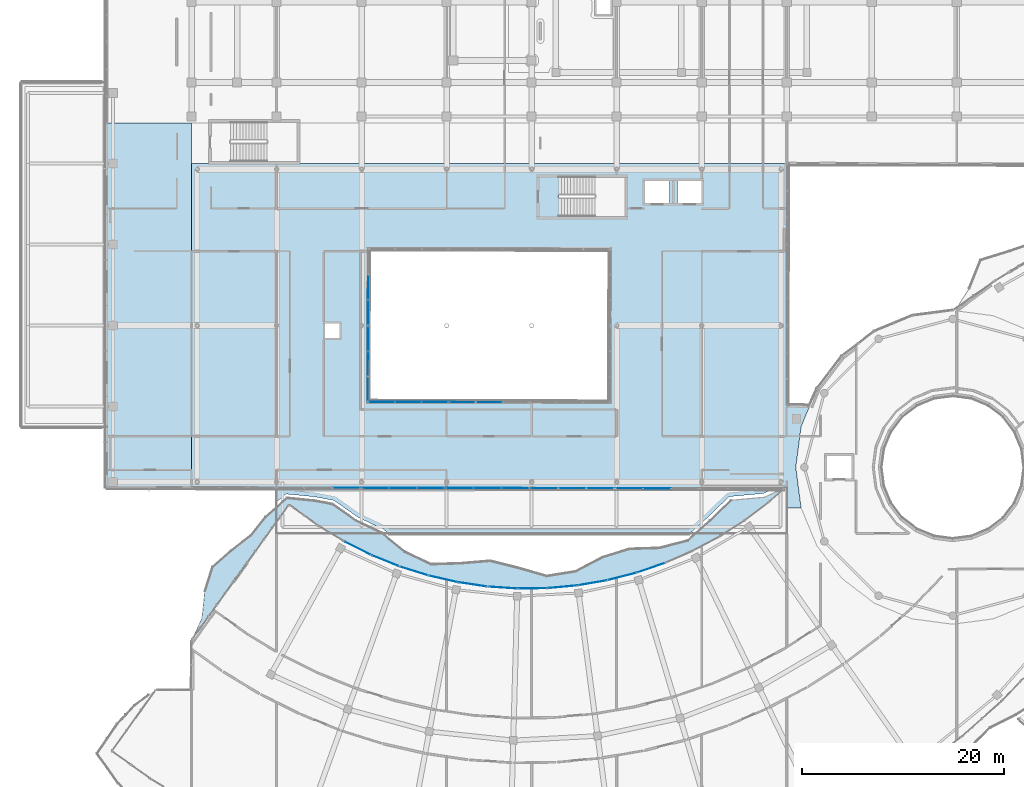
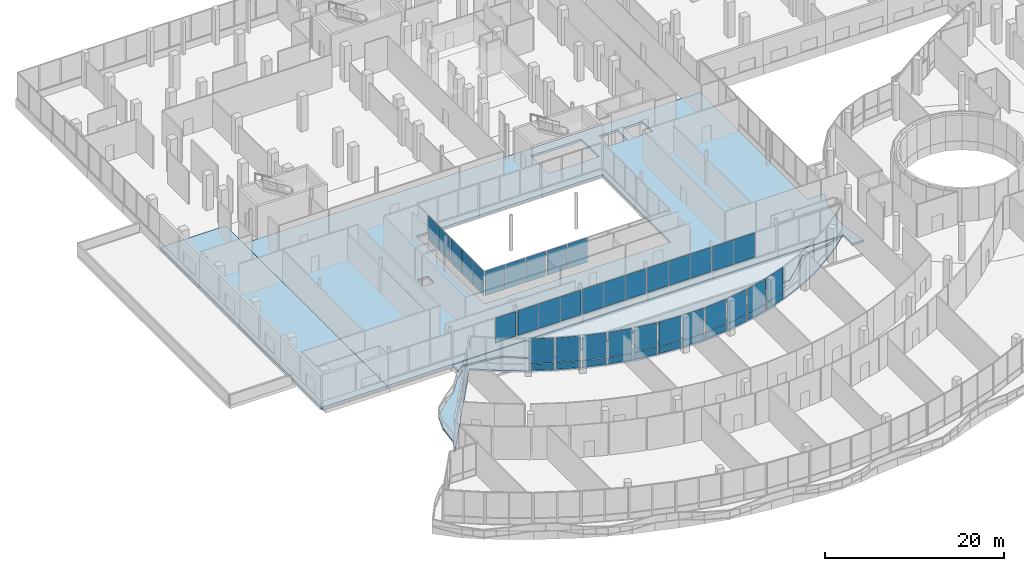
# One storey, part 125 of 168: 44 plates, 4 slabs, 20 elements without a shape of their own.
"""IFC4 building model written with IfcOpenShell, lengths in metres."""

from ifc_helpers import new_model, si_unit, direction, frame, origin, origin_2d, place, context, subcontext, project, spatial, polyline, rectangle, outline, extrude, material, layer, layer_set, type_object, element, aggregate, save


model = new_model("IFC4")

# Units and contexts
model_context = context("Model", 3, precision=1e-05, world=origin(), true_north=direction((0.0, 1.0)))
body_context = subcontext(model_context, "Body", "Model", "MODEL_VIEW")
ifc_project = project(units=[si_unit("LENGTHUNIT", "METRE"), si_unit("AREAUNIT", "SQUARE_METRE"), si_unit("VOLUMEUNIT", "CUBIC_METRE"), si_unit("PLANEANGLEUNIT", "RADIAN"), si_unit("MASSUNIT", "GRAM", prefix="KILO")], contexts=[model_context])

# Site, building, storey
site_placement = place(None, origin())
site = spatial("IfcSite", under=ifc_project, at=site_placement, CompositionType="ELEMENT")
building_placement = place(site_placement, origin())
building = spatial("IfcBuilding", under=site, at=building_placement, Name="Selatvlak General Hospital", CompositionType="ELEMENT")
storey_placement = place(building_placement, frame((0.0, 0.0, 5.39990234375)))
storey = spatial("IfcBuildingStorey", under=building, at=storey_placement, Name="L01", CompositionType="ELEMENT", Elevation=5.39990234375)

# Curtain wall, plates
ifc_material_1 = material(Name="Solar-control Low-E double glazing", Category="glass")
curtain_wall_type_1 = type_object("IfcCurtainWallType", Name="CW-CW-02", PredefinedType="USERDEFINED", material=ifc_material_1)
curtain_wall_1_placement = place(storey_placement, origin())
curtain_wall_1 = element("IfcCurtainWall", 1, at=curtain_wall_1_placement, inside=storey, type_object=curtain_wall_type_1, Name="Glazed facade curtain wall CW-L01-0192", ObjectType="UNITISED CURTAIN WALL", PredefinedType="USERDEFINED")
ifc_layer_1 = layer(ifc_material_1, 0.028076171875, Name="Solar-control Low-E double glazing", Category="glass")
ifc_layer_set_1 = layer_set([ifc_layer_1], Name="Solar-control Low-E double glazing")
plate_type = type_object("IfcPlateType", Name="CWP-01", PredefinedType="CURTAIN_PANEL", material=ifc_layer_set_1)
plate_1_placement = place(storey_placement, frame((39.236572265625, 45.988525390625, 0.065185546875), z_axis=(0.0, 0.0, 1.0), x_axis=(0.894220339262, -0.447627060006, 0.0)))
plate_1 = element("IfcPlate", 2, at=plate_1_placement, type_object=plate_type, Name="CW-02 panel 1.1", PredefinedType="CURTAIN_PANEL", context=body_context, shape_type="SweptSolid", body=[
    extrude(rectangle(XDim=2.77197265625, YDim=0.028076171875, at=origin_2d()), origin(), (0.0, 0.0, 1.0), 0.8525390625),
])
plate_2_placement = place(storey_placement, frame((39.236572265625, 45.988525390625, 0.982666015625), z_axis=(0.0, 0.0, 1.0), x_axis=(0.894220339262, -0.447627060006, 0.0)))
plate_2 = element("IfcPlate", 3, at=plate_2_placement, type_object=plate_type, Name="CW-02 panel 1.2", PredefinedType="CURTAIN_PANEL", context=body_context, shape_type="SweptSolid", body=[
    extrude(rectangle(XDim=2.77197265625, YDim=0.028076171875, at=origin_2d()), origin(), (0.0, 0.0, 1.0), 3.3974609375),
])
aggregate(curtain_wall_1, [plate_1, plate_2])

curtain_wall_type_2 = type_object("IfcCurtainWallType", Name="CW-CW-01", PredefinedType="USERDEFINED", material=ifc_material_1)
curtain_wall_2_placement = place(storey_placement, origin())
curtain_wall_2 = element("IfcCurtainWall", 4, at=curtain_wall_2_placement, inside=storey, type_object=curtain_wall_type_2, Name="Glazed facade curtain wall CW-L01-0193", ObjectType="UNITISED CURTAIN WALL", PredefinedType="USERDEFINED")
plate_3_placement = place(storey_placement, frame((41.951904296875, 44.762939453125, 0.065185546875), z_axis=(0.0, 0.0, 1.0), x_axis=(0.927043807949, -0.374953034584, 0.0)))
plate_3 = element("IfcPlate", 5, at=plate_3_placement, type_object=plate_type, Name="CW-01 panel 1.1", PredefinedType="CURTAIN_PANEL", context=body_context, shape_type="SweptSolid", body=[
    extrude(rectangle(XDim=2.771728515625, YDim=0.028076171875, at=origin_2d()), origin(), (0.0, 0.0, 1.0), 0.8525390625),
])
plate_4_placement = place(storey_placement, frame((41.951904296875, 44.762939453125, 0.982666015625), z_axis=(0.0, 0.0, 1.0), x_axis=(0.927043807949, -0.374953034584, 0.0)))
plate_4 = element("IfcPlate", 6, at=plate_4_placement, type_object=plate_type, Name="CW-01 panel 1.2", PredefinedType="CURTAIN_PANEL", context=body_context, shape_type="SweptSolid", body=[
    extrude(rectangle(XDim=2.771728515625, YDim=0.028076171875, at=origin_2d()), origin(), (0.0, 0.0, 1.0), 3.3974609375),
])
aggregate(curtain_wall_2, [plate_3, plate_4])

curtain_wall_3_placement = place(storey_placement, origin())
curtain_wall_3 = element("IfcCurtainWall", 7, at=curtain_wall_3_placement, inside=storey, type_object=curtain_wall_type_1, Name="Glazed facade curtain wall CW-L01-0194", ObjectType="UNITISED CURTAIN WALL", PredefinedType="USERDEFINED")
plate_5_placement = place(storey_placement, frame((44.757568359375, 43.757080078125, 0.065185546875), z_axis=(0.0, 0.0, 1.0), x_axis=(0.953821840084, -0.300372930504, 0.0)))
plate_5 = element("IfcPlate", 8, at=plate_5_placement, type_object=plate_type, Name="CW-02 panel 1.1", PredefinedType="CURTAIN_PANEL", context=body_context, shape_type="SweptSolid", body=[
    extrude(rectangle(XDim=2.77294921875, YDim=0.028076171875, at=origin_2d()), origin(), (0.0, 0.0, 1.0), 0.8525390625),
])
plate_6_placement = place(storey_placement, frame((44.757568359375, 43.757080078125, 0.982666015625), z_axis=(0.0, 0.0, 1.0), x_axis=(0.953821840084, -0.300372930504, 0.0)))
plate_6 = element("IfcPlate", 9, at=plate_6_placement, type_object=plate_type, Name="CW-02 panel 1.2", PredefinedType="CURTAIN_PANEL", context=body_context, shape_type="SweptSolid", body=[
    extrude(rectangle(XDim=2.77294921875, YDim=0.028076171875, at=origin_2d()), origin(), (0.0, 0.0, 1.0), 3.3974609375),
])
aggregate(curtain_wall_3, [plate_5, plate_6])

curtain_wall_4_placement = place(storey_placement, origin())
curtain_wall_4 = element("IfcCurtainWall", 10, at=curtain_wall_4_placement, inside=storey, type_object=curtain_wall_type_2, Name="Glazed facade curtain wall CW-L01-0195", ObjectType="UNITISED CURTAIN WALL", PredefinedType="USERDEFINED")
plate_7_placement = place(storey_placement, frame((47.633056640625, 42.9765625, 0.065185546875), z_axis=(0.0, 0.0, 1.0), x_axis=(0.974478297582, -0.224481730976, 0.0)))
plate_7 = element("IfcPlate", 11, at=plate_7_placement, type_object=plate_type, Name="CW-01 panel 1.1", PredefinedType="CURTAIN_PANEL", context=body_context, shape_type="SweptSolid", body=[
    extrude(rectangle(XDim=2.77001953125, YDim=0.028076171875, at=origin_2d()), origin(), (0.0, 0.0, 1.0), 0.8525390625),
])
plate_8_placement = place(storey_placement, frame((47.633056640625, 42.9765625, 0.982666015625), z_axis=(0.0, 0.0, 1.0), x_axis=(0.974478297582, -0.224481730976, 0.0)))
plate_8 = element("IfcPlate", 12, at=plate_8_placement, type_object=plate_type, Name="CW-01 panel 1.2", PredefinedType="CURTAIN_PANEL", context=body_context, shape_type="SweptSolid", body=[
    extrude(rectangle(XDim=2.77001953125, YDim=0.028076171875, at=origin_2d()), origin(), (0.0, 0.0, 1.0), 3.3974609375),
])
aggregate(curtain_wall_4, [plate_7, plate_8])

curtain_wall_5_placement = place(storey_placement, origin())
curtain_wall_5 = element("IfcCurtainWall", 13, at=curtain_wall_5_placement, inside=storey, type_object=curtain_wall_type_1, Name="Glazed facade curtain wall CW-L01-0196", ObjectType="UNITISED CURTAIN WALL", PredefinedType="USERDEFINED")
plate_9_placement = place(storey_placement, frame((50.56005859375, 42.427001953125, 0.065185546875), z_axis=(0.0, 0.0, 1.0), x_axis=(0.989262603626, -0.146148900327, 0.0)))
plate_9 = element("IfcPlate", 14, at=plate_9_placement, type_object=plate_type, Name="CW-02 panel 1.1", PredefinedType="CURTAIN_PANEL", context=body_context, shape_type="SweptSolid", body=[
    extrude(rectangle(XDim=2.771240234375, YDim=0.028076171875, at=origin_2d()), origin(), (0.0, 0.0, 1.0), 0.8525390625),
])
plate_10_placement = place(storey_placement, frame((50.56005859375, 42.427001953125, 0.982666015625), z_axis=(0.0, 0.0, 1.0), x_axis=(0.989262603626, -0.146148900327, 0.0)))
plate_10 = element("IfcPlate", 15, at=plate_10_placement, type_object=plate_type, Name="CW-02 panel 1.2", PredefinedType="CURTAIN_PANEL", context=body_context, shape_type="SweptSolid", body=[
    extrude(rectangle(XDim=2.771240234375, YDim=0.028076171875, at=origin_2d()), origin(), (0.0, 0.0, 1.0), 3.3974609375),
])
aggregate(curtain_wall_5, [plate_9, plate_10])

curtain_wall_6_placement = place(storey_placement, origin())
curtain_wall_6 = element("IfcCurtainWall", 16, at=curtain_wall_6_placement, inside=storey, type_object=curtain_wall_type_2, Name="Glazed facade curtain wall CW-L01-0197", ObjectType="UNITISED CURTAIN WALL", PredefinedType="USERDEFINED")
plate_11_placement = place(storey_placement, frame((53.52294921875, 42.111572265625, 0.065185546875), z_axis=(0.0, 0.0, 1.0), x_axis=(0.997740728699, -0.067182127799, 0.0)))
plate_11 = element("IfcPlate", 17, at=plate_11_placement, type_object=plate_type, Name="CW-01 panel 1.1", PredefinedType="CURTAIN_PANEL", context=body_context, shape_type="SweptSolid", body=[
    extrude(rectangle(XDim=2.7724609375, YDim=0.028076171875, at=origin_2d()), origin(), (0.0, 0.0, 1.0), 0.8525390625),
])
plate_12_placement = place(storey_placement, frame((53.52294921875, 42.111572265625, 0.982666015625), z_axis=(0.0, 0.0, 1.0), x_axis=(0.997740728699, -0.067182127799, 0.0)))
plate_12 = element("IfcPlate", 18, at=plate_12_placement, type_object=plate_type, Name="CW-01 panel 1.2", PredefinedType="CURTAIN_PANEL", context=body_context, shape_type="SweptSolid", body=[
    extrude(rectangle(XDim=2.7724609375, YDim=0.028076171875, at=origin_2d()), origin(), (0.0, 0.0, 1.0), 3.3974609375),
])
aggregate(curtain_wall_6, [plate_11, plate_12])

curtain_wall_7_placement = place(storey_placement, origin())
curtain_wall_7 = element("IfcCurtainWall", 19, at=curtain_wall_7_placement, inside=storey, type_object=curtain_wall_type_1, Name="Glazed facade curtain wall CW-L01-0198", ObjectType="UNITISED CURTAIN WALL", PredefinedType="USERDEFINED")
plate_13_placement = place(storey_placement, frame((56.50048828125, 42.032470703125, 0.065185546875), z_axis=(0.0, 0.0, 1.0), x_axis=(0.999918562587, 0.012761982337, 0.0)))
plate_13 = element("IfcPlate", 20, at=plate_13_placement, type_object=plate_type, Name="CW-02 panel 1.1", PredefinedType="CURTAIN_PANEL", context=body_context, shape_type="SweptSolid", body=[
    extrude(rectangle(XDim=2.769287109375, YDim=0.028076171875, at=origin_2d()), origin(), (0.0, 0.0, 1.0), 0.8525390625),
])
plate_14_placement = place(storey_placement, frame((56.50048828125, 42.032470703125, 0.982666015625), z_axis=(0.0, 0.0, 1.0), x_axis=(0.999918562587, 0.012761982337, 0.0)))
plate_14 = element("IfcPlate", 21, at=plate_14_placement, type_object=plate_type, Name="CW-02 panel 1.2", PredefinedType="CURTAIN_PANEL", context=body_context, shape_type="SweptSolid", body=[
    extrude(rectangle(XDim=2.769287109375, YDim=0.028076171875, at=origin_2d()), origin(), (0.0, 0.0, 1.0), 3.3974609375),
])
aggregate(curtain_wall_7, [plate_13, plate_14])

curtain_wall_8_placement = place(storey_placement, origin())
curtain_wall_8 = element("IfcCurtainWall", 22, at=curtain_wall_8_placement, inside=storey, type_object=curtain_wall_type_2, Name="Glazed facade curtain wall CW-L01-0199", ObjectType="UNITISED CURTAIN WALL", PredefinedType="USERDEFINED")
plate_15_placement = place(storey_placement, frame((59.474609375, 42.19091796875, 0.065185546875), z_axis=(0.0, 0.0, 1.0), x_axis=(0.99572483852, 0.092369074668, 0.0)))
plate_15 = element("IfcPlate", 23, at=plate_15_placement, type_object=plate_type, Name="CW-01 panel 1.1", PredefinedType="CURTAIN_PANEL", context=body_context, shape_type="SweptSolid", body=[
    extrude(rectangle(XDim=2.771484375, YDim=0.028076171875, at=origin_2d()), origin(), (0.0, 0.0, 1.0), 0.8525390625),
])
plate_16_placement = place(storey_placement, frame((59.474609375, 42.19091796875, 0.982666015625), z_axis=(0.0, 0.0, 1.0), x_axis=(0.99572483852, 0.092369074668, 0.0)))
plate_16 = element("IfcPlate", 24, at=plate_16_placement, type_object=plate_type, Name="CW-01 panel 1.2", PredefinedType="CURTAIN_PANEL", context=body_context, shape_type="SweptSolid", body=[
    extrude(rectangle(XDim=2.771484375, YDim=0.028076171875, at=origin_2d()), origin(), (0.0, 0.0, 1.0), 3.3974609375),
])
aggregate(curtain_wall_8, [plate_15, plate_16])

curtain_wall_9_placement = place(storey_placement, origin())
curtain_wall_9 = element("IfcCurtainWall", 25, at=curtain_wall_9_placement, inside=storey, type_object=curtain_wall_type_1, Name="Glazed facade curtain wall CW-L01-0200", ObjectType="UNITISED CURTAIN WALL", PredefinedType="USERDEFINED")
plate_17_placement = place(storey_placement, frame((62.427001953125, 42.58544921875, 0.065185546875), z_axis=(0.0, 0.0, 1.0), x_axis=(0.985330444651, 0.170657302344, 0.0)))
plate_17 = element("IfcPlate", 26, at=plate_17_placement, type_object=plate_type, Name="CW-02 panel 1.1", PredefinedType="CURTAIN_PANEL", context=body_context, shape_type="SweptSolid", body=[
    extrude(rectangle(XDim=2.7705078125, YDim=0.028076171875, at=origin_2d()), origin(), (0.0, 0.0, 1.0), 0.8525390625),
])
plate_18_placement = place(storey_placement, frame((62.427001953125, 42.58544921875, 0.982666015625), z_axis=(0.0, 0.0, 1.0), x_axis=(0.985330444651, 0.170657302344, 0.0)))
plate_18 = element("IfcPlate", 27, at=plate_18_placement, type_object=plate_type, Name="CW-02 panel 1.2", PredefinedType="CURTAIN_PANEL", context=body_context, shape_type="SweptSolid", body=[
    extrude(rectangle(XDim=2.7705078125, YDim=0.028076171875, at=origin_2d()), origin(), (0.0, 0.0, 1.0), 3.3974609375),
])
aggregate(curtain_wall_9, [plate_17, plate_18])

curtain_wall_10_placement = place(storey_placement, origin())
curtain_wall_10 = element("IfcCurtainWall", 28, at=curtain_wall_10_placement, inside=storey, type_object=curtain_wall_type_2, Name="Glazed facade curtain wall CW-L01-0201", ObjectType="UNITISED CURTAIN WALL", PredefinedType="USERDEFINED")
plate_19_placement = place(storey_placement, frame((65.340576171875, 43.212890625, 0.065185546875), z_axis=(0.0, 0.0, 1.0), x_axis=(0.968604360907, 0.248607304863, 0.0)))
plate_19 = element("IfcPlate", 29, at=plate_19_placement, type_object=plate_type, Name="CW-01 panel 1.1", PredefinedType="CURTAIN_PANEL", context=body_context, shape_type="SweptSolid", body=[
    extrude(rectangle(XDim=2.774169921875, YDim=0.028076171875, at=origin_2d()), origin(), (0.0, 0.0, 1.0), 0.8525390625),
])
plate_20_placement = place(storey_placement, frame((65.340576171875, 43.212890625, 0.982666015625), z_axis=(0.0, 0.0, 1.0), x_axis=(0.968604360907, 0.248607304863, 0.0)))
plate_20 = element("IfcPlate", 30, at=plate_20_placement, type_object=plate_type, Name="CW-01 panel 1.2", PredefinedType="CURTAIN_PANEL", context=body_context, shape_type="SweptSolid", body=[
    extrude(rectangle(XDim=2.774169921875, YDim=0.028076171875, at=origin_2d()), origin(), (0.0, 0.0, 1.0), 3.3974609375),
])
aggregate(curtain_wall_10, [plate_19, plate_20])

curtain_wall_11_placement = place(storey_placement, origin())
curtain_wall_11 = element("IfcCurtainWall", 31, at=curtain_wall_11_placement, inside=storey, type_object=curtain_wall_type_1, Name="Glazed facade curtain wall CW-L01-0202", ObjectType="UNITISED CURTAIN WALL", PredefinedType="USERDEFINED")
plate_21_placement = place(storey_placement, frame((68.194580078125, 44.069580078125, 0.065185546875), z_axis=(0.0, 0.0, 1.0), x_axis=(0.945888500226, 0.324491825998, 0.0)))
plate_21 = element("IfcPlate", 32, at=plate_21_placement, type_object=plate_type, Name="CW-02 panel 1.1", PredefinedType="CURTAIN_PANEL", context=body_context, shape_type="SweptSolid", body=[
    extrude(rectangle(XDim=2.77001953125, YDim=0.028076171875, at=origin_2d()), origin(), (0.0, 0.0, 1.0), 0.8525390625),
])
plate_22_placement = place(storey_placement, frame((68.194580078125, 44.069580078125, 0.982666015625), z_axis=(0.0, 0.0, 1.0), x_axis=(0.945888500226, 0.324491825998, 0.0)))
plate_22 = element("IfcPlate", 33, at=plate_22_placement, type_object=plate_type, Name="CW-02 panel 1.2", PredefinedType="CURTAIN_PANEL", context=body_context, shape_type="SweptSolid", body=[
    extrude(rectangle(XDim=2.77001953125, YDim=0.028076171875, at=origin_2d()), origin(), (0.0, 0.0, 1.0), 3.3974609375),
])
aggregate(curtain_wall_11, [plate_21, plate_22])

curtain_wall_12_placement = place(storey_placement, origin())
curtain_wall_12 = element("IfcCurtainWall", 34, at=curtain_wall_12_placement, inside=storey, type_object=curtain_wall_type_1, Name="Glazed facade curtain wall CW-L01-0209", ObjectType="UNITISED CURTAIN WALL", PredefinedType="USERDEFINED")
plate_23_placement = place(storey_placement, frame((68.77392578125, 51.91748046875, 1.005126953125), z_axis=(0.0, 0.0, 1.0), x_axis=(-0.99999835986, 0.001811153756, 0.0)))
plate_23 = element("IfcPlate", 35, at=plate_23_placement, type_object=plate_type, Name="CW-02 panel 2.1", PredefinedType="CURTAIN_PANEL", context=body_context, shape_type="SweptSolid", body=[
    extrude(rectangle(XDim=2.695556640625, YDim=0.028076171875, at=origin_2d()), origin(), (0.0, 0.0, 1.0), 3.375),
])
plate_24_placement = place(storey_placement, frame((66.029541015625, 51.92236328125, 1.005126953125), z_axis=(0.0, 0.0, 1.0), x_axis=(-0.99999835986, 0.001811153756, 0.0)))
plate_24 = element("IfcPlate", 36, at=plate_24_placement, type_object=plate_type, Name="CW-02 panel 3.1", PredefinedType="CURTAIN_PANEL", context=body_context, shape_type="SweptSolid", body=[
    extrude(rectangle(XDim=2.6630859375, YDim=0.028076171875, at=origin_2d()), origin(), (0.0, 0.0, 1.0), 3.375),
])
aggregate(curtain_wall_12, [plate_23, plate_24])

curtain_wall_13_placement = place(storey_placement, origin())
curtain_wall_13 = element("IfcCurtainWall", 37, at=curtain_wall_13_placement, inside=storey, type_object=curtain_wall_type_2, Name="Glazed facade curtain wall CW-L01-0210", ObjectType="UNITISED CURTAIN WALL", PredefinedType="USERDEFINED")
plate_25_placement = place(storey_placement, frame((63.156494140625, 51.927490234375, 1.005126953125), z_axis=(0.0, 0.0, 1.0), x_axis=(-0.99999835986, 0.001811153756, 0.0)))
plate_25 = element("IfcPlate", 38, at=plate_25_placement, type_object=plate_type, Name="CW-01 panel 1.1", PredefinedType="CURTAIN_PANEL", context=body_context, shape_type="SweptSolid", body=[
    extrude(rectangle(XDim=2.6630859375, YDim=0.028076171875, at=origin_2d()), origin(), (0.0, 0.0, 1.0), 3.375),
])
plate_26_placement = place(storey_placement, frame((60.412109375, 51.9326171875, 1.005126953125), z_axis=(0.0, 0.0, 1.0), x_axis=(-0.99999835986, 0.001811153756, 0.0)))
plate_26 = element("IfcPlate", 39, at=plate_26_placement, type_object=plate_type, Name="CW-01 panel 2.1", PredefinedType="CURTAIN_PANEL", context=body_context, shape_type="SweptSolid", body=[
    extrude(rectangle(XDim=2.695556640625, YDim=0.028076171875, at=origin_2d()), origin(), (0.0, 0.0, 1.0), 3.375),
])
plate_27_placement = place(storey_placement, frame((57.66748046875, 51.9375, 1.005126953125), z_axis=(0.0, 0.0, 1.0), x_axis=(-0.99999835986, 0.001811153756, 0.0)))
plate_27 = element("IfcPlate", 40, at=plate_27_placement, type_object=plate_type, Name="CW-01 panel 3.1", PredefinedType="CURTAIN_PANEL", context=body_context, shape_type="SweptSolid", body=[
    extrude(rectangle(XDim=2.6630859375, YDim=0.028076171875, at=origin_2d()), origin(), (0.0, 0.0, 1.0), 3.375),
])
aggregate(curtain_wall_13, [plate_25, plate_26, plate_27])

curtain_wall_14_placement = place(storey_placement, origin())
curtain_wall_14 = element("IfcCurtainWall", 41, at=curtain_wall_14_placement, inside=storey, type_object=curtain_wall_type_1, Name="Glazed facade curtain wall CW-L01-0211", ObjectType="UNITISED CURTAIN WALL", PredefinedType="USERDEFINED")
plate_28_placement = place(storey_placement, frame((54.794677734375, 51.942626953125, 1.005126953125), z_axis=(0.0, 0.0, 1.0), x_axis=(-0.999998359464, 0.001811372463, 0.0)))
plate_28 = element("IfcPlate", 42, at=plate_28_placement, type_object=plate_type, Name="CW-02 panel 1.1", PredefinedType="CURTAIN_PANEL", context=body_context, shape_type="SweptSolid", body=[
    extrude(rectangle(XDim=2.662841796875, YDim=0.028076171875, at=origin_2d()), origin(), (0.0, 0.0, 1.0), 3.375),
])
plate_29_placement = place(storey_placement, frame((52.050537109375, 51.947509765625, 1.005126953125), z_axis=(0.0, 0.0, 1.0), x_axis=(-0.999998359464, 0.001811372463, 0.0)))
plate_29 = element("IfcPlate", 43, at=plate_29_placement, type_object=plate_type, Name="CW-02 panel 2.1", PredefinedType="CURTAIN_PANEL", context=body_context, shape_type="SweptSolid", body=[
    extrude(rectangle(XDim=2.6953125, YDim=0.028076171875, at=origin_2d()), origin(), (0.0, 0.0, 1.0), 3.375),
])
plate_30_placement = place(storey_placement, frame((49.306396484375, 51.952392578125, 1.005126953125), z_axis=(0.0, 0.0, 1.0), x_axis=(-0.999998359464, 0.001811372463, 0.0)))
plate_30 = element("IfcPlate", 44, at=plate_30_placement, type_object=plate_type, Name="CW-02 panel 3.1", PredefinedType="CURTAIN_PANEL", context=body_context, shape_type="SweptSolid", body=[
    extrude(rectangle(XDim=2.662841796875, YDim=0.028076171875, at=origin_2d()), origin(), (0.0, 0.0, 1.0), 3.375),
])
aggregate(curtain_wall_14, [plate_28, plate_29, plate_30])

curtain_wall_15_placement = place(storey_placement, origin())
curtain_wall_15 = element("IfcCurtainWall", 45, at=curtain_wall_15_placement, inside=storey, type_object=curtain_wall_type_2, Name="Glazed facade curtain wall CW-L01-0212", ObjectType="UNITISED CURTAIN WALL", PredefinedType="USERDEFINED")
plate_31_placement = place(storey_placement, frame((46.433349609375, 51.95751953125, 1.005126953125), z_axis=(0.0, 0.0, 1.0), x_axis=(-0.99999835986, 0.001811153756, 0.0)))
plate_31 = element("IfcPlate", 46, at=plate_31_placement, type_object=plate_type, Name="CW-01 panel 1.1", PredefinedType="CURTAIN_PANEL", context=body_context, shape_type="SweptSolid", body=[
    extrude(rectangle(XDim=2.6630859375, YDim=0.028076171875, at=origin_2d()), origin(), (0.0, 0.0, 1.0), 3.375),
])
plate_32_placement = place(storey_placement, frame((43.68896484375, 51.96240234375, 1.005126953125), z_axis=(0.0, 0.0, 1.0), x_axis=(-0.99999835986, 0.001811153756, 0.0)))
plate_32 = element("IfcPlate", 47, at=plate_32_placement, type_object=plate_type, Name="CW-01 panel 2.1", PredefinedType="CURTAIN_PANEL", context=body_context, shape_type="SweptSolid", body=[
    extrude(rectangle(XDim=2.695556640625, YDim=0.028076171875, at=origin_2d()), origin(), (0.0, 0.0, 1.0), 3.375),
])
plate_33_placement = place(storey_placement, frame((40.944580078125, 51.967529296875, 1.005126953125), z_axis=(0.0, 0.0, 1.0), x_axis=(-0.99999835986, 0.001811153756, 0.0)))
plate_33 = element("IfcPlate", 48, at=plate_33_placement, type_object=plate_type, Name="CW-01 panel 3.1", PredefinedType="CURTAIN_PANEL", context=body_context, shape_type="SweptSolid", body=[
    extrude(rectangle(XDim=2.6630859375, YDim=0.028076171875, at=origin_2d()), origin(), (0.0, 0.0, 1.0), 3.375),
])
aggregate(curtain_wall_15, [plate_31, plate_32, plate_33])

# Curtain wall, plate
curtain_wall_16_placement = place(storey_placement, origin())
curtain_wall_16 = element("IfcCurtainWall", 49, at=curtain_wall_16_placement, inside=storey, type_object=curtain_wall_type_1, Name="Glazed facade curtain wall CW-L01-0213", ObjectType="UNITISED CURTAIN WALL", PredefinedType="USERDEFINED")
plate_34_placement = place(storey_placement, frame((38.071533203125, 51.972412109375, 1.005126953125), z_axis=(0.0, 0.0, 1.0), x_axis=(-0.99999835986, 0.001811153756, 0.0)))
plate_34 = element("IfcPlate", 50, at=plate_34_placement, type_object=plate_type, Name="CW-02 panel 1.1", PredefinedType="CURTAIN_PANEL", context=body_context, shape_type="SweptSolid", body=[
    extrude(rectangle(XDim=2.6630859375, YDim=0.028076171875, at=origin_2d()), origin(), (0.0, 0.0, 1.0), 3.375),
])
aggregate(curtain_wall_16, [plate_34])

# Curtain wall, plates
curtain_wall_17_placement = place(storey_placement, origin())
curtain_wall_17 = element("IfcCurtainWall", 51, at=curtain_wall_17_placement, inside=storey, type_object=curtain_wall_type_2, Name="Glazed facade curtain wall CW-L01-0229", ObjectType="UNITISED CURTAIN WALL", PredefinedType="USERDEFINED")
plate_35_placement = place(storey_placement, frame((40.2451171875, 71.81494140625, 1.005126953125), z_axis=(0.0, 0.0, 1.0), x_axis=(-0.003978748356, -0.999992084749, 0.0)))
plate_35 = element("IfcPlate", 52, at=plate_35_placement, type_object=plate_type, Name="CW-01 panel 2.1", PredefinedType="CURTAIN_PANEL", context=body_context, shape_type="SweptSolid", body=[
    extrude(rectangle(XDim=2.4482421875, YDim=0.028076171875, at=origin_2d()), origin(), (0.0, 0.0, 1.0), 3.375),
])
plate_36_placement = place(storey_placement, frame((40.235107421875, 69.31787109375, 1.005126953125), z_axis=(0.0, 0.0, 1.0), x_axis=(-0.003978748356, -0.999992084749, 0.0)))
plate_36 = element("IfcPlate", 53, at=plate_36_placement, type_object=plate_type, Name="CW-01 panel 3.1", PredefinedType="CURTAIN_PANEL", context=body_context, shape_type="SweptSolid", body=[
    extrude(rectangle(XDim=2.415771484375, YDim=0.028076171875, at=origin_2d()), origin(), (0.0, 0.0, 1.0), 3.375),
])
aggregate(curtain_wall_17, [plate_35, plate_36])

curtain_wall_18_placement = place(storey_placement, origin())
curtain_wall_18 = element("IfcCurtainWall", 54, at=curtain_wall_18_placement, inside=storey, type_object=curtain_wall_type_1, Name="Glazed facade curtain wall CW-L01-0230", ObjectType="UNITISED CURTAIN WALL", PredefinedType="USERDEFINED")
plate_37_placement = place(storey_placement, frame((40.224853515625, 66.700439453125, 1.005126953125), z_axis=(0.0, 0.0, 1.0), x_axis=(-0.00400530832, -0.99999197872, 0.0)))
plate_37 = element("IfcPlate", 55, at=plate_37_placement, type_object=plate_type, Name="CW-02 panel 1.1", PredefinedType="CURTAIN_PANEL", context=body_context, shape_type="SweptSolid", body=[
    extrude(rectangle(XDim=2.399169921875, YDim=0.028076171875, at=origin_2d()), origin(), (0.0, 0.0, 1.0), 3.375),
])
plate_38_placement = place(storey_placement, frame((40.215087890625, 64.219970703125, 1.005126953125), z_axis=(0.0, 0.0, 1.0), x_axis=(-0.00400530832, -0.99999197872, 0.0)))
plate_38 = element("IfcPlate", 56, at=plate_38_placement, type_object=plate_type, Name="CW-02 panel 2.1", PredefinedType="CURTAIN_PANEL", context=body_context, shape_type="SweptSolid", body=[
    extrude(rectangle(XDim=2.431640625, YDim=0.028076171875, at=origin_2d()), origin(), (0.0, 0.0, 1.0), 3.375),
])
plate_39_placement = place(storey_placement, frame((40.205078125, 61.739501953125, 1.005126953125), z_axis=(0.0, 0.0, 1.0), x_axis=(-0.00400530832, -0.99999197872, 0.0)))
plate_39 = element("IfcPlate", 57, at=plate_39_placement, type_object=plate_type, Name="CW-02 panel 3.1", PredefinedType="CURTAIN_PANEL", context=body_context, shape_type="SweptSolid", body=[
    extrude(rectangle(XDim=2.399169921875, YDim=0.028076171875, at=origin_2d()), origin(), (0.0, 0.0, 1.0), 3.375),
])
aggregate(curtain_wall_18, [plate_37, plate_38, plate_39])

curtain_wall_19_placement = place(storey_placement, origin())
curtain_wall_19 = element("IfcCurtainWall", 58, at=curtain_wall_19_placement, inside=storey, type_object=curtain_wall_type_2, Name="Glazed facade curtain wall CW-L01-0231", ObjectType="UNITISED CURTAIN WALL", PredefinedType="USERDEFINED")
plate_40_placement = place(storey_placement, frame((41.597900390625, 60.45654296875, 1.005126953125), z_axis=(0.0, 0.0, 1.0), x_axis=(0.999996795401, -0.002531637448, 0.0)))
plate_40 = element("IfcPlate", 59, at=plate_40_placement, type_object=plate_type, Name="CW-01 panel 1.1", PredefinedType="CURTAIN_PANEL", context=body_context, shape_type="SweptSolid", body=[
    extrude(rectangle(XDim=2.535888671875, YDim=0.028076171875, at=origin_2d()), origin(), (0.0, 0.0, 1.0), 3.375),
])
plate_41_placement = place(storey_placement, frame((44.215087890625, 60.449951171875, 1.005126953125), z_axis=(0.0, 0.0, 1.0), x_axis=(0.999996795401, -0.002531637448, 0.0)))
plate_41 = element("IfcPlate", 60, at=plate_41_placement, type_object=plate_type, Name="CW-01 panel 2.1", PredefinedType="CURTAIN_PANEL", context=body_context, shape_type="SweptSolid", body=[
    extrude(rectangle(XDim=2.568359375, YDim=0.028076171875, at=origin_2d()), origin(), (0.0, 0.0, 1.0), 3.375),
])
plate_42_placement = place(storey_placement, frame((46.83203125, 60.443359375, 1.005126953125), z_axis=(0.0, 0.0, 1.0), x_axis=(0.999996795401, -0.002531637448, 0.0)))
plate_42 = element("IfcPlate", 61, at=plate_42_placement, type_object=plate_type, Name="CW-01 panel 3.1", PredefinedType="CURTAIN_PANEL", context=body_context, shape_type="SweptSolid", body=[
    extrude(rectangle(XDim=2.535888671875, YDim=0.028076171875, at=origin_2d()), origin(), (0.0, 0.0, 1.0), 3.375),
])
aggregate(curtain_wall_19, [plate_40, plate_41, plate_42])

curtain_wall_20_placement = place(storey_placement, origin())
curtain_wall_20 = element("IfcCurtainWall", 62, at=curtain_wall_20_placement, inside=storey, type_object=curtain_wall_type_1, Name="Glazed facade curtain wall CW-L01-0232", ObjectType="UNITISED CURTAIN WALL", PredefinedType="USERDEFINED")
plate_43_placement = place(storey_placement, frame((49.577880859375, 60.4365234375, 1.005126953125), z_axis=(0.0, 0.0, 1.0), x_axis=(0.999996795401, -0.002531637448, 0.0)))
plate_43 = element("IfcPlate", 63, at=plate_43_placement, type_object=plate_type, Name="CW-02 panel 1.1", PredefinedType="CURTAIN_PANEL", context=body_context, shape_type="SweptSolid", body=[
    extrude(rectangle(XDim=2.535888671875, YDim=0.028076171875, at=origin_2d()), origin(), (0.0, 0.0, 1.0), 3.375),
])
plate_44_placement = place(storey_placement, frame((52.195068359375, 60.429931640625, 1.005126953125), z_axis=(0.0, 0.0, 1.0), x_axis=(0.999996795401, -0.002531637448, 0.0)))
plate_44 = element("IfcPlate", 64, at=plate_44_placement, type_object=plate_type, Name="CW-02 panel 2.1", PredefinedType="CURTAIN_PANEL", context=body_context, shape_type="SweptSolid", body=[
    extrude(rectangle(XDim=2.568359375, YDim=0.028076171875, at=origin_2d()), origin(), (0.0, 0.0, 1.0), 3.375),
])
aggregate(curtain_wall_20, [plate_43, plate_44])

# Slabs
ifc_material_2 = material(Name="Concrete C40/50", Category="concrete")
ifc_layer_2 = layer(ifc_material_2, 0.22998046875, Name="Concrete C40/50", Category="concrete")
ifc_layer_set_2 = layer_set([ifc_layer_2], Name="Concrete C40/50")
slab_type_1 = type_object("IfcSlabType", Name="SLAB-SL-BL1", PredefinedType="FLOOR", material=ifc_layer_set_2)
slab_1_placement = place(storey_placement, frame((0.0, 0.0, -0.22998046875)))
element("IfcSlab", 65, at=slab_1_placement, inside=storey, type_object=slab_type_1, Name="L01 S-curve sunshade balcony 2", PredefinedType="FLOOR", context=body_context, shape_type="SweptSolid", body=[
    extrude(outline(polyline([(46.4609375, 44.427978515625), (49.4150390625, 44.51708984375), (52.284912109375, 44.763916015625), (55.0439453125, 44.070068359375), (57.903076171875, 43.260009765625), (60.75, 43.721923828125), (63.383056640625, 45.113037109375), (66.056884765625, 45.94091796875), (69.00390625, 46.032958984375), (71.81689453125, 46.762939453125), (74.013916015625, 48.73291015625), (76.071044921875, 50.73388671875), (79.426025390625, 51.0458984375), (81.2890625, 51.919921875), (81.363037109375, 51.919921875), (79.8291015625, 50.551025390625), (77.455078125, 48.75), (74.944091796875, 47.14306640625), (72.31201171875, 45.739990234375), (69.580078125, 44.551025390625), (66.762939453125, 43.583984375), (63.8720703125, 42.841064453125), (60.93505859375, 42.3310546875), (57.967041015625, 42.055908203125), (54.988037109375, 42.01806640625), (52.012939453125, 42.218017578125), (49.06396484375, 42.652099609375), (46.158935546875, 43.320068359375), (43.31494140625, 44.217041015625), (40.551025390625, 45.3359375), (37.885009765625, 46.669921875), (35.3359375, 48.2119140625), (32.43994140625, 50.31005859375), (22.8798828125, 37.028076171875), (22.8798828125, 37.077880859375), (23.822021484375, 39.076904296875), (24.10791015625, 41.77587890625), (24.85888671875, 44.139892578125), (26.6640625, 45.74609375), (28.6220703125, 47.241943359375), (30.10107421875, 49.08203125), (32.23291015625, 50.971923828125), (34.93310546875, 50.7041015625), (36.73095703125, 50.364990234375), (39.027099609375, 48.740966796875), (41.552001953125, 47.550048828125), (43.8349609375, 45.6650390625), (46.4609375, 44.427978515625)])), origin(), (0.0, 0.0, 1.0), 0.22998046875),
])
ifc_layer_3 = layer(ifc_material_2, 0.320068359375, Name="Concrete C40/50", Category="concrete")
ifc_layer_set_3 = layer_set([ifc_layer_3], Name="Concrete C40/50")
slab_type_2 = type_object("IfcSlabType", Name="SLAB-SL-FL1", PredefinedType="FLOOR", material=ifc_layer_set_3)
slab_2_placement = place(storey_placement, frame((0.0, 0.0, -0.31982421875)))
element("IfcSlab", 66, at=slab_2_placement, inside=storey, type_object=slab_type_2, Name="L01 V2 structural slab", PredefinedType="FLOOR", context=body_context, shape_type="SweptSolid", body=[
    extrude(outline(polyline([(14.39990234375, 52.0), (14.39990234375, 88.0), (22.800048828125, 88.0), (22.800048828125, 52.0), (14.39990234375, 52.0)])), origin(), (0.0, 0.0, 1.0), 0.31982421875),
])
slab_3_placement = place(storey_placement, frame((0.0, 0.0, -0.31982421875)))
element("IfcSlab", 67, at=slab_3_placement, inside=storey, type_object=slab_type_2, Name="L01 V3H structural slab", PredefinedType="FLOOR", context=body_context, shape_type="SweptSolid", body=[
    extrude(outline(polyline([(83.02001953125, 58.013916015625), (82.491943359375, 54.0009765625), (83.01806640625, 50.0), (81.60009765625, 50.0), (81.60009765625, 52.0), (22.80810546875, 52.0), (22.80810546875, 84.0), (81.60009765625, 84.0), (81.60009765625, 60.0), (83.843017578125, 60.0), (83.02001953125, 58.013916015625)]), holes=[polyline([(40.199951171875, 60.39990234375), (64.199951171875, 60.39990234375), (64.199951171875, 75.60009765625), (40.199951171875, 75.60009765625), (40.199951171875, 60.39990234375)]), polyline([(59.10498046875, 78.800048828125), (65.60009765625, 78.800048828125), (65.60009765625, 82.739990234375), (59.10498046875, 82.739990234375), (59.10498046875, 78.800048828125)]), polyline([(67.60009765625, 80.10009765625), (70.0, 80.10009765625), (70.0, 82.300048828125), (67.60009765625, 82.300048828125), (67.60009765625, 80.10009765625)]), polyline([(70.800048828125, 82.300048828125), (70.800048828125, 80.10009765625), (73.199951171875, 80.10009765625), (73.199951171875, 82.300048828125), (70.800048828125, 82.300048828125)]), polyline([(37.39990234375, 68.199951171875), (36.0, 68.199951171875), (36.0, 66.800048828125), (37.39990234375, 66.800048828125), (37.39990234375, 68.199951171875)])]), origin(), (0.0, 0.0, 1.0), 0.31982421875),
])
ifc_layer_4 = layer(ifc_material_2, 0.239990234375, Name="Concrete C40/50", Category="concrete")
ifc_layer_set_4 = layer_set([ifc_layer_4], Name="Concrete C40/50")
slab_type_3 = type_object("IfcSlabType", Name="SLAB-SL-RF1", PredefinedType="ROOF", material=ifc_layer_set_4)
slab_4_placement = place(storey_placement, frame((0.0, 0.0, -0.31982421875)))
element("IfcSlab", 68, at=slab_4_placement, inside=storey, type_object=slab_type_3, Name="L01 roof slab ROOF-COLONNADE-HALL", PredefinedType="ROOF", context=body_context, shape_type="SweptSolid", body=[
    extrude(outline(polyline([(79.324951171875, 51.41796875), (76.035888671875, 51.112060546875), (75.9990234375, 51.10693359375), (75.964111328125, 51.097900390625), (75.928955078125, 51.0859375), (75.89501953125, 51.071044921875), (75.864013671875, 51.052001953125), (75.833984375, 51.031005859375), (75.805908203125, 51.006103515625), (73.7548828125, 49.010986328125), (72.070068359375, 47.5), (42.208984375, 47.5), (41.7939453125, 47.843017578125), (41.76904296875, 47.862060546875), (41.741943359375, 47.87890625), (41.714111328125, 47.89404296875), (39.218994140625, 49.070068359375), (36.949951171875, 50.675048828125), (36.916015625, 50.697021484375), (36.87890625, 50.715087890625), (36.841064453125, 50.72900390625), (36.801025390625, 50.738037109375), (35.0029296875, 51.076904296875), (34.970947265625, 51.08203125), (32.27099609375, 51.35009765625), (32.23095703125, 51.35205078125), (32.19189453125, 51.35009765625), (32.154052734375, 51.343994140625), (32.115966796875, 51.333984375), (32.0791015625, 51.320068359375), (32.0439453125, 51.302001953125), (32.011962890625, 51.281005859375), (31.98095703125, 51.256103515625), (31.199951171875, 50.56396484375), (31.199951171875, 51.991943359375), (80.548095703125, 51.991943359375), (79.324951171875, 51.41796875)])), origin(), (0.0, 0.0, 1.0), 0.239990234375),
])

save(model, "model.ifc")
